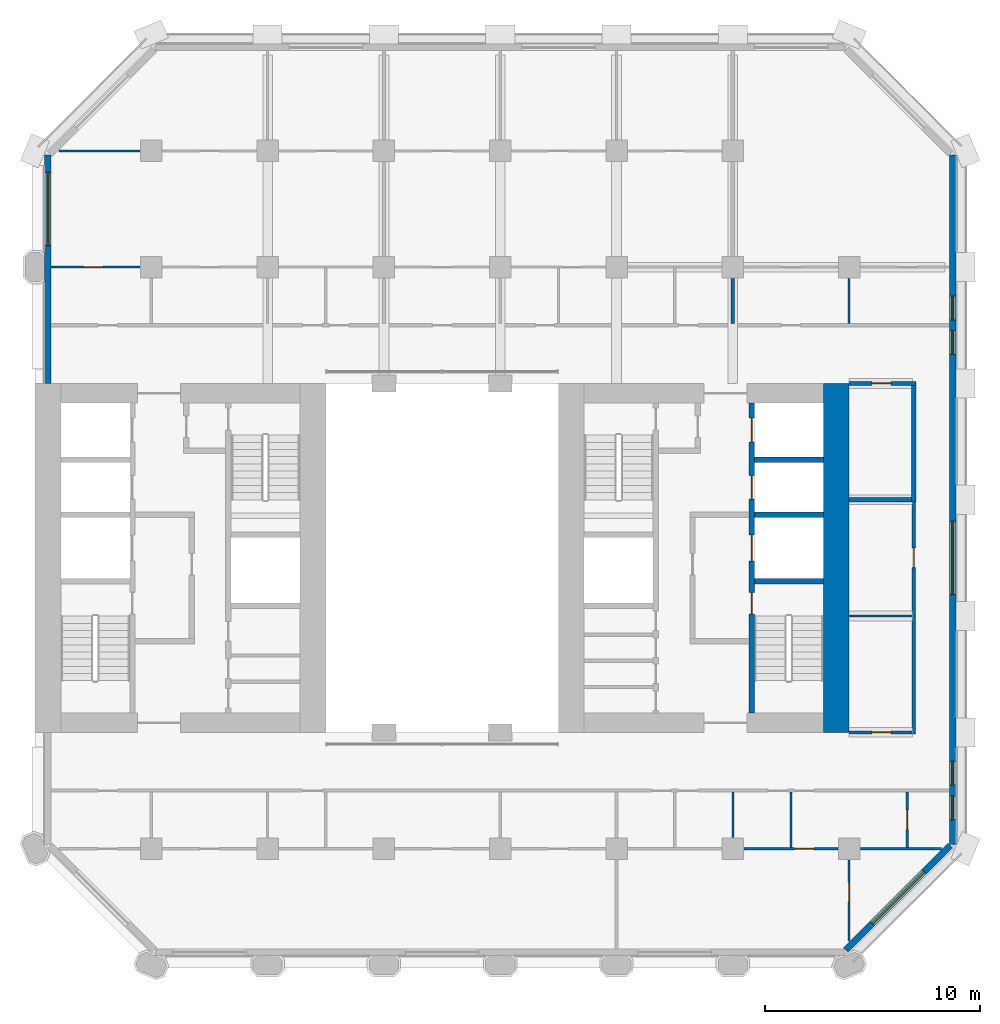
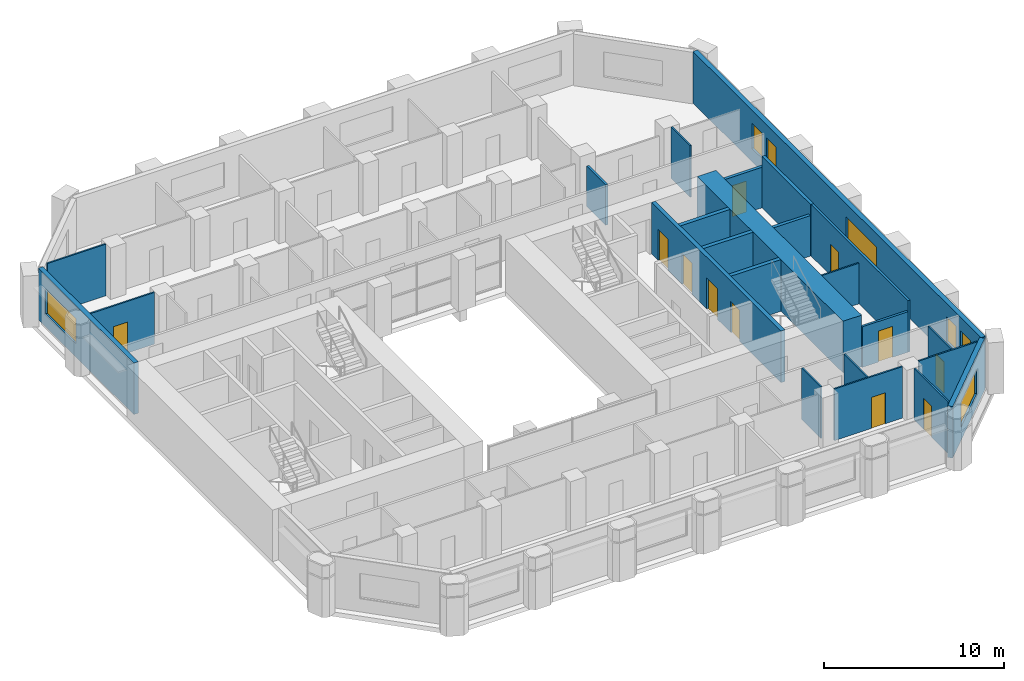
# One storey, part 6 of 11: 24 walls, 11 doors, 7 windows, 18 openings.
"""IFC4 building model written with IfcOpenShell, lengths in metres."""

from ifc_helpers import new_model, si_unit, direction, frame, frame_2d, origin, place, context, subcontext, project, spatial, rectangle, extrude, material, layer, layer_set, type_object, element, fill, save


model = new_model("IFC4")

# Units and contexts
model_context = context("Model", 3, precision=1e-05, world=origin(), true_north=direction((0.0, 1.0)))
body_context = subcontext(model_context, "Body", "Model", "MODEL_VIEW")
ifc_project = project(units=[si_unit("LENGTHUNIT", "METRE"), si_unit("AREAUNIT", "SQUARE_METRE"), si_unit("VOLUMEUNIT", "CUBIC_METRE"), si_unit("PLANEANGLEUNIT", "RADIAN"), si_unit("MASSUNIT", "GRAM", prefix="KILO")], contexts=[model_context])

# Site, building, storey
site_placement = place(None, origin())
site = spatial("IfcSite", under=ifc_project, at=site_placement, CompositionType="ELEMENT")
building_placement = place(site_placement, origin())
building = spatial("IfcBuilding", under=site, at=building_placement, Name="Tabaq Tower and Sports Hall", CompositionType="ELEMENT")
storey_placement = place(building_placement, frame((0.0, 0.0, 80.199951171875)))
storey = spatial("IfcBuildingStorey", under=building, at=storey_placement, Name="L18", CompositionType="ELEMENT", Elevation=80.199951171875)

# Wall
ifc_material_1 = material(Name="Concrete C60/75", Category="concrete")
ifc_layer_1 = layer(ifc_material_1, 1.199951171875)
ifc_layer_set_1 = layer_set([ifc_layer_1], Name="Core wall 1200 Concrete C60/75")
wall_type_1 = type_object("IfcWallType", Name="Core wall 1200 Concrete C60/75", PredefinedType="SOLIDWALL", material=ifc_layer_set_1)
wall_1_placement = place(storey_placement, frame((42.60009765625, 32.39990234375, 0.0), z_axis=(0.0, 0.0, 1.0), x_axis=(0.0, -1.0, 0.0)))
element("IfcWall", 1, at=wall_1_placement, inside=storey, type_object=wall_type_1, Name="Core wall E L18", PredefinedType="SOLIDWALL", context=body_context, shape_type="SweptSolid", body=[
    extrude(rectangle(XDim=16.199951171875, YDim=1.199951171875, at=frame_2d((8.10009765625, 0.0))), origin(), (0.0, 0.0, 1.0), 3.5),
])

# Wall, opening, door
ifc_material_2 = material(Name="Blockwork", Category="masonry")
ifc_layer_2 = layer(ifc_material_2, 0.199951171875)
ifc_layer_set_2 = layer_set([ifc_layer_2], Name="Fire compartment wall 200 Blockwork")
wall_type_2 = type_object("IfcWallType", Name="Fire compartment wall 200 Blockwork", PredefinedType="PARTITIONING", material=ifc_layer_set_2)
wall_2_placement = place(storey_placement, frame((43.199951171875, 32.39990234375, 0.0), z_axis=(0.0, 0.0, 1.0), x_axis=(1.0, 0.0, 0.0)))
wall_2 = element("IfcWall", 2, at=wall_2_placement, inside=storey, type_object=wall_type_2, Name="Compartment wall L18", PredefinedType="PARTITIONING", context=body_context, shape_type="SweptSolid", body=[
    extrude(rectangle(XDim=3.10009765625, YDim=0.199951171875, at=frame_2d((1.550048828125, 0.0))), origin(), (0.0, 0.0, 1.0), 2.75),
])
opening_1_placement = place(wall_2_placement, frame((1.050048828125, 0.0, 0.0)))
opening_1 = element("IfcOpeningElement", 3, at=opening_1_placement, cuts=wall_2, Name="Opening L18-011", PredefinedType="OPENING", context=body_context, shape_type="SweptSolid", body=[
    extrude(rectangle(XDim=0.89990234375, YDim=2.10009765625, at=frame_2d((0.449951171875, 1.050048828125))), frame((0.0, 0.10009765625, 0.0), z_axis=(0.0, -1.0, 0.0), x_axis=(1.0, 0.0, 0.0)), (0.0, 0.0, 1.0), 0.199951171875),
])
ifc_material_3 = material(Name="Steel fire door", Category="steel")
door_type_1 = type_object("IfcDoorType", Name="Plant room door 900 right hand", OperationType="SINGLE_SWING_RIGHT", PredefinedType="DOOR", material=ifc_material_3)
door_1_placement = place(opening_1_placement, origin())
door_1 = element("IfcDoor", 4, at=door_1_placement, inside=storey, type_object=door_type_1, Name="Plant room door L18-011", OperationType="SINGLE_SWING_RIGHT", OverallHeight=2.10009765625, OverallWidth=0.89990234375, PredefinedType="DOOR", context=body_context, shape_type="SweptSolid", body=[
    extrude(rectangle(XDim=0.89990234375, YDim=2.10009765625, at=frame_2d((0.449951171875, 1.050048828125))), frame((0.0, 0.02490234375, 0.0), z_axis=(0.0, -1.0, 0.0), x_axis=(1.0, 0.0, 0.0)), (0.0, 0.0, 1.0), 0.050048828125),
])
fill(opening_1, door_1)

# Walls
wall_3_placement = place(storey_placement, frame((46.199951171875, 32.300048828125, 0.0), z_axis=(0.0, 0.0, 1.0), x_axis=(0.0, -1.0, 0.0)))
element("IfcWall", 5, at=wall_3_placement, inside=storey, type_object=wall_type_2, Name="Compartment wall L18", PredefinedType="PARTITIONING", context=body_context, shape_type="SweptSolid", body=[
    extrude(rectangle(XDim=5.400146484375, YDim=0.199951171875, at=frame_2d((2.7001953125, 0.0))), origin(), (0.0, 0.0, 1.0), 3.5),
])
wall_4_placement = place(storey_placement, frame((46.10009765625, 27.0, 0.0), z_axis=(0.0, 0.0, 1.0), x_axis=(-1.0, 0.0, 0.0)))
element("IfcWall", 6, at=wall_4_placement, inside=storey, type_object=wall_type_2, Name="Compartment wall L18", PredefinedType="PARTITIONING", context=body_context, shape_type="SweptSolid", body=[
    extrude(rectangle(XDim=2.900146484375, YDim=0.199951171875, at=frame_2d((1.4501953125, 0.0))), origin(), (0.0, 0.0, 1.0), 2.75),
])

# Wall, opening, door
ifc_material_4 = material(Name="Gypsum board on steel studs", Category="steel")
ifc_layer_3 = layer(ifc_material_4, 0.10009765625)
ifc_layer_set_3 = layer_set([ifc_layer_3], Name="Partition 100 Gypsum board")
wall_type_3 = type_object("IfcWallType", Name="Partition 100 Gypsum board", PredefinedType="PARTITIONING", material=ifc_layer_set_3)
wall_5_placement = place(storey_placement, frame((10.280029296875, 37.800048828125, 0.0), z_axis=(0.0, 0.0, 1.0), x_axis=(-1.0, 0.0, 0.0)))
wall_5 = element("IfcWall", 7, at=wall_5_placement, inside=storey, type_object=wall_type_3, Name="Partition wall L18", PredefinedType="PARTITIONING", context=body_context, shape_type="SweptSolid", body=[
    extrude(rectangle(XDim=4.129150390625, YDim=0.10009765625, at=frame_2d((2.064453125, 0.0))), origin(), (0.0, 0.0, 1.0), 3.5),
])
opening_2_placement = place(wall_5_placement, frame((1.72998046875, 0.0, 0.0)))
opening_2 = element("IfcOpeningElement", 8, at=opening_2_placement, cuts=wall_5, Name="Opening L18-029", PredefinedType="OPENING", context=body_context, shape_type="SweptSolid", body=[
    extrude(rectangle(XDim=0.89990234375, YDim=2.10009765625, at=frame_2d((0.449951171875, 1.050048828125))), frame((0.0, 0.050048828125, 0.0), z_axis=(0.0, -1.0, 0.0), x_axis=(1.0, 0.0, 0.0)), (0.0, 0.0, 1.0), 0.10009765625),
])
ifc_material_5 = material(Name="Timber leaf in steel frame", Category="steel")
door_type_2 = type_object("IfcDoorType", Name="Internal door 900 right hand", OperationType="SINGLE_SWING_RIGHT", PredefinedType="DOOR", material=ifc_material_5)
door_2_placement = place(opening_2_placement, origin())
door_2 = element("IfcDoor", 9, at=door_2_placement, inside=storey, type_object=door_type_2, Name="Internal door L18-029", OperationType="SINGLE_SWING_RIGHT", OverallHeight=2.10009765625, OverallWidth=0.89990234375, PredefinedType="DOOR", context=body_context, shape_type="SweptSolid", body=[
    extrude(rectangle(XDim=0.89990234375, YDim=2.10009765625, at=frame_2d((0.449951171875, 1.050048828125))), frame((0.0, 0.02490234375, 0.0), z_axis=(0.0, -1.0, 0.0), x_axis=(1.0, 0.0, 0.0)), (0.0, 0.0, 1.0), 0.050048828125),
])
fill(opening_2, door_2)

# Walls
wall_6_placement = place(storey_placement, frame((10.280029296875, 43.199951171875, 0.0), z_axis=(0.0, 0.0, 1.0), x_axis=(-1.0, 0.0, 0.0)))
element("IfcWall", 10, at=wall_6_placement, inside=storey, type_object=wall_type_3, Name="Partition wall L18", PredefinedType="PARTITIONING", context=body_context, shape_type="SweptSolid", body=[
    extrude(rectangle(XDim=3.767822265625, YDim=0.10009765625, at=frame_2d((1.8837890625, 0.0))), origin(), (0.0, 0.0, 1.0), 3.5),
])
for number, where, z_axis, x_axis, name in (
    (11, (43.199951171875, 35.175048828125, 0.0), (0.0, 0.0, 1.0), (0.0, 1.0, 0.0), "Partition wall L18"),
    (12, (37.800048828125, 11.320068359375, 0.0), (0.0, 0.0, 1.0), (0.0, 1.0, 0.0), "Partition wall L18"),
):
    element("IfcWall", number, at=place(storey_placement, frame(where, z_axis=z_axis, x_axis=x_axis)), inside=storey, type_object=wall_type_3, Name=name, PredefinedType="PARTITIONING", context=body_context, shape_type="SweptSolid", body=[
        extrude(rectangle(XDim=2.10498046875, YDim=0.10009765625, at=frame_2d((1.052490234375, 0.0))), origin(), (0.0, 0.0, 1.0), 3.5),
    ])
wall_7_placement = place(storey_placement, frame((40.5, 10.85009765625, 0.0), z_axis=(0.0, 0.0, 1.0), x_axis=(0.0, 1.0, 0.0)))
element("IfcWall", 13, at=wall_7_placement, inside=storey, type_object=wall_type_3, Name="Partition wall L18", PredefinedType="PARTITIONING", context=body_context, shape_type="SweptSolid", body=[
    extrude(rectangle(XDim=2.574951171875, YDim=0.10009765625, at=frame_2d((1.28759765625, 0.0))), origin(), (0.0, 0.0, 1.0), 3.5),
])

# Wall, opening, door
wall_8_placement = place(storey_placement, frame((38.320068359375, 10.800048828125, 0.0), z_axis=(0.0, 0.0, 1.0), x_axis=(1.0, 0.0, 0.0)))
wall_8 = element("IfcWall", 14, at=wall_8_placement, inside=storey, type_object=wall_type_3, Name="Partition wall L18", PredefinedType="PARTITIONING", context=body_context, shape_type="SweptSolid", body=[
    extrude(rectangle(XDim=4.35986328125, YDim=0.10009765625, at=frame_2d((2.179931640625, 0.0))), origin(), (0.0, 0.0, 1.0), 3.5),
])
opening_3_placement = place(wall_8_placement, frame((2.35009765625, 0.0, 0.0)))
opening_3 = element("IfcOpeningElement", 15, at=opening_3_placement, cuts=wall_8, Name="Opening L18-033", PredefinedType="OPENING", context=body_context, shape_type="SweptSolid", body=[
    extrude(rectangle(XDim=0.89990234375, YDim=2.10009765625, at=frame_2d((0.449951171875, 1.050048828125))), frame((0.0, 0.050048828125, 0.0), z_axis=(0.0, -1.0, 0.0), x_axis=(1.0, 0.0, 0.0)), (0.0, 0.0, 1.0), 0.10009765625),
])
ifc_material_6 = material(Name="Timber leaf in steel frame", Category="steel")
door_type_3 = type_object("IfcDoorType", Name="Internal door 900 left hand", OperationType="SINGLE_SWING_LEFT", PredefinedType="DOOR", material=ifc_material_6)
door_3_placement = place(opening_3_placement, origin())
door_3 = element("IfcDoor", 16, at=door_3_placement, inside=storey, type_object=door_type_3, Name="Internal door L18-033", OperationType="SINGLE_SWING_LEFT", OverallHeight=2.10009765625, OverallWidth=0.89990234375, PredefinedType="DOOR", context=body_context, shape_type="SweptSolid", body=[
    extrude(rectangle(XDim=0.89990234375, YDim=2.10009765625, at=frame_2d((0.449951171875, 1.050048828125))), frame((0.0, 0.02490234375, 0.0), z_axis=(0.0, -1.0, 0.0), x_axis=(1.0, 0.0, 0.0)), (0.0, 0.0, 1.0), 0.050048828125),
])
fill(opening_3, door_3)

wall_9_placement = place(storey_placement, frame((45.89990234375, 10.85009765625, 0.0), z_axis=(0.0, 0.0, 1.0), x_axis=(0.0, 1.0, 0.0)))
wall_9 = element("IfcWall", 17, at=wall_9_placement, inside=storey, type_object=wall_type_3, Name="Partition wall L18", PredefinedType="PARTITIONING", context=body_context, shape_type="SweptSolid", body=[
    extrude(rectangle(XDim=2.574951171875, YDim=0.10009765625, at=frame_2d((1.28759765625, 0.0))), origin(), (0.0, 0.0, 1.0), 3.5),
])
opening_4_placement = place(wall_9_placement, frame((0.85009765625, 0.0, 0.0)))
opening_4 = element("IfcOpeningElement", 18, at=opening_4_placement, cuts=wall_9, Name="Opening L18-023", PredefinedType="OPENING", context=body_context, shape_type="SweptSolid", body=[
    extrude(rectangle(XDim=0.89990234375, YDim=2.10009765625, at=frame_2d((0.449951171875, 1.050048828125))), frame((0.0, 0.050048828125, 0.0), z_axis=(0.0, -1.0, 0.0), x_axis=(1.0, 0.0, 0.0)), (0.0, 0.0, 1.0), 0.10009765625),
])
door_4_placement = place(opening_4_placement, origin())
door_4 = element("IfcDoor", 19, at=door_4_placement, inside=storey, type_object=door_type_3, Name="Internal door L18-023", OperationType="SINGLE_SWING_LEFT", OverallHeight=2.10009765625, OverallWidth=0.89990234375, PredefinedType="DOOR", context=body_context, shape_type="SweptSolid", body=[
    extrude(rectangle(XDim=0.89990234375, YDim=2.10009765625, at=frame_2d((0.449951171875, 1.050048828125))), frame((0.0, 0.02490234375, 0.0), z_axis=(0.0, -1.0, 0.0), x_axis=(1.0, 0.0, 0.0)), (0.0, 0.0, 1.0), 0.050048828125),
])
fill(opening_4, door_4)

# Wall
wall_10_placement = place(storey_placement, frame((43.719970703125, 10.800048828125, 0.0), z_axis=(0.0, 0.0, 1.0), x_axis=(1.0, 0.0, 0.0)))
element("IfcWall", 20, at=wall_10_placement, inside=storey, type_object=wall_type_3, Name="Partition wall L18", PredefinedType="PARTITIONING", context=body_context, shape_type="SweptSolid", body=[
    extrude(rectangle(XDim=3.767822265625, YDim=0.10009765625, at=frame_2d((1.8837890625, 0.0))), origin(), (0.0, 0.0, 1.0), 3.5),
])

# Wall, opening, door
wall_11_placement = place(storey_placement, frame((43.199951171875, 6.51220703125, 0.0), z_axis=(0.0, 0.0, 1.0), x_axis=(0.0, 1.0, 0.0)))
wall_11 = element("IfcWall", 21, at=wall_11_placement, inside=storey, type_object=wall_type_3, Name="Partition wall L18", PredefinedType="PARTITIONING", context=body_context, shape_type="SweptSolid", body=[
    extrude(rectangle(XDim=3.767822265625, YDim=0.10009765625, at=frame_2d((1.8837890625, 0.0))), origin(), (0.0, 0.0, 1.0), 3.5),
])
opening_5_placement = place(wall_11_placement, frame((1.81298828125, 0.0, 0.0)))
opening_5 = element("IfcOpeningElement", 22, at=opening_5_placement, cuts=wall_11, Name="Opening L18-024", PredefinedType="OPENING", context=body_context, shape_type="SweptSolid", body=[
    extrude(rectangle(XDim=0.89990234375, YDim=2.10009765625, at=frame_2d((0.449951171875, 1.050048828125))), frame((0.0, 0.050048828125, 0.0), z_axis=(0.0, -1.0, 0.0), x_axis=(1.0, 0.0, 0.0)), (0.0, 0.0, 1.0), 0.10009765625),
])
door_5_placement = place(opening_5_placement, origin())
door_5 = element("IfcDoor", 23, at=door_5_placement, inside=storey, type_object=door_type_3, Name="Internal door L18-024", OperationType="SINGLE_SWING_LEFT", OverallHeight=2.10009765625, OverallWidth=0.89990234375, PredefinedType="DOOR", context=body_context, shape_type="SweptSolid", body=[
    extrude(rectangle(XDim=0.89990234375, YDim=2.10009765625, at=frame_2d((0.449951171875, 1.050048828125))), frame((0.0, 0.02490234375, 0.0), z_axis=(0.0, -1.0, 0.0), x_axis=(1.0, 0.0, 0.0)), (0.0, 0.0, 1.0), 0.050048828125),
])
fill(opening_5, door_5)

# Wall
wall_12_placement = place(storey_placement, frame((46.125, 21.60009765625, 0.0), z_axis=(0.0, 0.0, 1.0), x_axis=(-1.0, 0.0, 0.0)))
element("IfcWall", 24, at=wall_12_placement, inside=storey, type_object=wall_type_3, Name="Partition wall L18", PredefinedType="PARTITIONING", context=body_context, shape_type="SweptSolid", body=[
    extrude(rectangle(XDim=2.925048828125, YDim=0.10009765625, at=frame_2d((1.46240234375, 0.0))), origin(), (0.0, 0.0, 1.0), 2.75),
])

# Wall, opening, door
ifc_material_7 = material(Name="Blockwork", Category="masonry")
ifc_layer_4 = layer(ifc_material_7, 0.14990234375)
ifc_layer_set_4 = layer_set([ifc_layer_4], Name="Separating wall 150 Blockwork")
wall_type_4 = type_object("IfcWallType", Name="Separating wall 150 Blockwork", PredefinedType="PARTITIONING", material=ifc_layer_set_4)
wall_13_placement = place(storey_placement, frame((46.199951171875, 26.89990234375, 0.0), z_axis=(0.0, 0.0, 1.0), x_axis=(0.0, -1.0, 0.0)))
wall_13 = element("IfcWall", 25, at=wall_13_placement, inside=storey, type_object=wall_type_4, Name="Separating wall L18", PredefinedType="PARTITIONING", context=body_context, shape_type="SweptSolid", body=[
    extrude(rectangle(XDim=10.77490234375, YDim=0.14990234375, at=frame_2d((5.387451171875, 0.0))), origin(), (0.0, 0.0, 1.0), 3.5),
])
opening_6_placement = place(wall_13_placement, frame((2.14990234375, 0.0, 0.0)))
opening_6 = element("IfcOpeningElement", 26, at=opening_6_placement, cuts=wall_13, Name="Opening L18-010", PredefinedType="OPENING", context=body_context, shape_type="SweptSolid", body=[
    extrude(rectangle(XDim=0.89990234375, YDim=2.10009765625, at=frame_2d((0.449951171875, 1.050048828125))), frame((0.0, 0.074951171875, 0.0), z_axis=(0.0, -1.0, 0.0), x_axis=(1.0, 0.0, 0.0)), (0.0, 0.0, 1.0), 0.14990234375),
])
door_6_placement = place(opening_6_placement, origin())
door_6 = element("IfcDoor", 27, at=door_6_placement, inside=storey, type_object=door_type_2, Name="Internal door L18-010", OperationType="SINGLE_SWING_RIGHT", OverallHeight=2.10009765625, OverallWidth=0.89990234375, PredefinedType="DOOR", context=body_context, shape_type="SweptSolid", body=[
    extrude(rectangle(XDim=0.89990234375, YDim=2.10009765625, at=frame_2d((0.449951171875, 1.050048828125))), frame((0.0, 0.02490234375, 0.0), z_axis=(0.0, -1.0, 0.0), x_axis=(1.0, 0.0, 0.0)), (0.0, 0.0, 1.0), 0.050048828125),
])
fill(opening_6, door_6)

wall_14_placement = place(storey_placement, frame((46.125, 16.199951171875, 0.0), z_axis=(0.0, 0.0, 1.0), x_axis=(-1.0, 0.0, 0.0)))
wall_14 = element("IfcWall", 28, at=wall_14_placement, inside=storey, type_object=wall_type_4, Name="Separating wall L18", PredefinedType="PARTITIONING", context=body_context, shape_type="SweptSolid", body=[
    extrude(rectangle(XDim=2.925048828125, YDim=0.14990234375, at=frame_2d((1.46240234375, 0.0))), origin(), (0.0, 0.0, 1.0), 2.75),
])
opening_7_placement = place(wall_14_placement, frame((0.97509765625, 0.0, 0.0)))
opening_7 = element("IfcOpeningElement", 29, at=opening_7_placement, cuts=wall_14, Name="Opening L18-009", PredefinedType="OPENING", context=body_context, shape_type="SweptSolid", body=[
    extrude(rectangle(XDim=0.89990234375, YDim=2.10009765625, at=frame_2d((0.449951171875, 1.050048828125))), frame((0.0, 0.074951171875, 0.0), z_axis=(0.0, -1.0, 0.0), x_axis=(1.0, 0.0, 0.0)), (0.0, 0.0, 1.0), 0.14990234375),
])
door_7_placement = place(opening_7_placement, origin())
door_7 = element("IfcDoor", 30, at=door_7_placement, inside=storey, type_object=door_type_2, Name="Internal door L18-009", OperationType="SINGLE_SWING_RIGHT", OverallHeight=2.10009765625, OverallWidth=0.89990234375, PredefinedType="DOOR", context=body_context, shape_type="SweptSolid", body=[
    extrude(rectangle(XDim=0.89990234375, YDim=2.10009765625, at=frame_2d((0.449951171875, 1.050048828125))), frame((0.0, 0.02490234375, 0.0), z_axis=(0.0, -1.0, 0.0), x_axis=(1.0, 0.0, 0.0)), (0.0, 0.0, 1.0), 0.050048828125),
])
fill(opening_7, door_7)

# Wall
wall_15_placement = place(storey_placement, frame((37.800048828125, 35.175048828125, 0.0), z_axis=(0.0, 0.0, 1.0), x_axis=(0.0, 1.0, 0.0)))
element("IfcWall", 31, at=wall_15_placement, inside=storey, type_object=wall_type_4, Name="Separating wall L18", PredefinedType="PARTITIONING", context=body_context, shape_type="SweptSolid", body=[
    extrude(rectangle(XDim=2.10498046875, YDim=0.14990234375, at=frame_2d((1.052490234375, 0.0))), origin(), (0.0, 0.0, 1.0), 2.75),
])

# Wall, openings, doors
ifc_material_8 = material(Name="Concrete C40/50", Category="concrete")
ifc_layer_5 = layer(ifc_material_8, 0.25)
ifc_layer_set_5 = layer_set([ifc_layer_5], Name="Shaft and stair wall 250 Concrete C40/50")
wall_type_5 = type_object("IfcWallType", Name="Shaft and stair wall 250 Concrete C40/50", PredefinedType="SOLIDWALL", material=ifc_layer_set_5)
wall_16_placement = place(storey_placement, frame((38.675048828125, 17.10009765625, 0.0), z_axis=(0.0, 0.0, 1.0), x_axis=(0.0, 1.0, 0.0)))
wall_16 = element("IfcWall", 32, at=wall_16_placement, inside=storey, type_object=wall_type_5, Name="Shaft wall E L18", PredefinedType="SOLIDWALL", context=body_context, shape_type="SweptSolid", body=[
    extrude(rectangle(XDim=14.39990234375, YDim=0.25, at=frame_2d((7.199951171875, 0.0))), origin(), (0.0, 0.0, 1.0), 3.5),
])
opening_8_placement = place(wall_16_placement, frame((4.60009765625, 0.0, 0.0)))
opening_8 = element("IfcOpeningElement", 33, at=opening_8_placement, cuts=wall_16, Name="Opening SD-EL18-03", PredefinedType="OPENING", context=body_context, shape_type="SweptSolid", body=[
    extrude(rectangle(XDim=1.0, YDim=2.10009765625, at=frame_2d((0.5, 1.050048828125))), frame((0.0, 0.125, 0.0), z_axis=(0.0, -1.0, 0.0), x_axis=(1.0, 0.0, 0.0)), (0.0, 0.0, 1.0), 0.25),
])
opening_9_placement = place(wall_16_placement, frame((7.0625, 0.0, 0.0)))
opening_9 = element("IfcOpeningElement", 34, at=opening_9_placement, cuts=wall_16, Name="Opening LD-FF2-L18", PredefinedType="OPENING", context=body_context, shape_type="SweptSolid", body=[
    extrude(rectangle(XDim=1.199951171875, YDim=2.10009765625, at=frame_2d((0.60009765625, 1.050048828125))), frame((0.0, 0.125, 0.0), z_axis=(0.0, -1.0, 0.0), x_axis=(1.0, 0.0, 0.0)), (0.0, 0.0, 1.0), 0.25),
])
opening_10_placement = place(wall_16_placement, frame((9.925048828125, 0.0, 0.0)))
opening_10 = element("IfcOpeningElement", 35, at=opening_10_placement, cuts=wall_16, Name="Opening LD-LR3-L18", PredefinedType="OPENING", context=body_context, shape_type="SweptSolid", body=[
    extrude(rectangle(XDim=1.10009765625, YDim=2.10009765625, at=frame_2d((0.550048828125, 1.050048828125))), frame((0.0, 0.125, 0.0), z_axis=(0.0, -1.0, 0.0), x_axis=(1.0, 0.0, 0.0)), (0.0, 0.0, 1.0), 0.25),
])
opening_11_placement = place(wall_16_placement, frame((12.58740234375, 0.0, 0.0)))
opening_11 = element("IfcOpeningElement", 36, at=opening_11_placement, cuts=wall_16, Name="Opening LD-LR4-L18", PredefinedType="OPENING", context=body_context, shape_type="SweptSolid", body=[
    extrude(rectangle(XDim=1.10009765625, YDim=2.10009765625, at=frame_2d((0.550048828125, 1.050048828125))), frame((0.0, 0.125, 0.0), z_axis=(0.0, -1.0, 0.0), x_axis=(1.0, 0.0, 0.0)), (0.0, 0.0, 1.0), 0.25),
])
ifc_material_9 = material(Name="Stainless steel", Category="steel")
door_type_4 = type_object("IfcDoorType", Name="Lift landing door 1100", OperationType="DOUBLE_DOOR_SLIDING", PredefinedType="DOOR", material=ifc_material_9)
door_8_placement = place(opening_10_placement, origin())
door_8 = element("IfcDoor", 37, at=door_8_placement, inside=storey, type_object=door_type_4, Name="Lift landing door LR3 E L18", OperationType="DOUBLE_DOOR_SLIDING", OverallHeight=2.10009765625, OverallWidth=1.10009765625, PredefinedType="DOOR", context=body_context, shape_type="SweptSolid", body=[
    extrude(rectangle(XDim=1.10009765625, YDim=2.10009765625, at=frame_2d((0.550048828125, 1.050048828125))), frame((0.0, 0.02490234375, 0.0), z_axis=(0.0, -1.0, 0.0), x_axis=(1.0, 0.0, 0.0)), (0.0, 0.0, 1.0), 0.050048828125),
])
fill(opening_10, door_8)
door_9_placement = place(opening_11_placement, origin())
door_9 = element("IfcDoor", 38, at=door_9_placement, inside=storey, type_object=door_type_4, Name="Lift landing door LR4 E L18", OperationType="DOUBLE_DOOR_SLIDING", OverallHeight=2.10009765625, OverallWidth=1.10009765625, PredefinedType="DOOR", context=body_context, shape_type="SweptSolid", body=[
    extrude(rectangle(XDim=1.10009765625, YDim=2.10009765625, at=frame_2d((0.550048828125, 1.050048828125))), frame((0.0, 0.02490234375, 0.0), z_axis=(0.0, -1.0, 0.0), x_axis=(1.0, 0.0, 0.0)), (0.0, 0.0, 1.0), 0.050048828125),
])
fill(opening_11, door_9)
ifc_material_10 = material(Name="Stainless steel", Category="steel")
door_type_5 = type_object("IfcDoorType", Name="Lift landing door 1200", OperationType="DOUBLE_DOOR_SLIDING", PredefinedType="DOOR", material=ifc_material_10)
door_10_placement = place(opening_9_placement, origin())
door_10 = element("IfcDoor", 39, at=door_10_placement, inside=storey, type_object=door_type_5, Name="Lift landing door FF2 E L18", OperationType="DOUBLE_DOOR_SLIDING", OverallHeight=2.10009765625, OverallWidth=1.199951171875, PredefinedType="DOOR", context=body_context, shape_type="SweptSolid", body=[
    extrude(rectangle(XDim=1.199951171875, YDim=2.10009765625, at=frame_2d((0.60009765625, 1.050048828125))), frame((0.0, 0.02490234375, 0.0), z_axis=(0.0, -1.0, 0.0), x_axis=(1.0, 0.0, 0.0)), (0.0, 0.0, 1.0), 0.050048828125),
])
fill(opening_9, door_10)
ifc_material_11 = material(Name="Steel fire door", Category="steel")
door_type_6 = type_object("IfcDoorType", Name="Stair door 1000", OperationType="SINGLE_SWING_LEFT", PredefinedType="DOOR", material=ifc_material_11)
door_11_placement = place(opening_8_placement, origin())
door_11 = element("IfcDoor", 40, at=door_11_placement, inside=storey, type_object=door_type_6, Name="Stair door ST3 E L18", OperationType="SINGLE_SWING_LEFT", OverallHeight=2.10009765625, OverallWidth=1.0, PredefinedType="DOOR", context=body_context, shape_type="SweptSolid", body=[
    extrude(rectangle(XDim=1.0, YDim=2.10009765625, at=frame_2d((0.5, 1.050048828125))), frame((0.0, 0.02490234375, 0.0), z_axis=(0.0, -1.0, 0.0), x_axis=(1.0, 0.0, 0.0)), (0.0, 0.0, 1.0), 0.050048828125),
])
fill(opening_8, door_11)

# Walls
for number, where, z_axis, x_axis, name in (
    (41, (38.800048828125, 23.22509765625, 0.0), (0.0, 0.0, 1.0), (1.0, 0.0, 0.0), "Stair enclosure wall E L18"),
    (42, (38.800048828125, 26.300048828125, 0.0), (0.0, 0.0, 1.0), (1.0, 0.0, 0.0), "Shaft wall E L18"),
    (43, (38.800048828125, 28.85009765625, 0.0), (0.0, 0.0, 1.0), (1.0, 0.0, 0.0), "Shaft wall E L18"),
):
    element("IfcWall", number, at=place(storey_placement, frame(where, z_axis=z_axis, x_axis=x_axis)), inside=storey, type_object=wall_type_5, Name=name, PredefinedType="SOLIDWALL", context=body_context, shape_type="SweptSolid", body=[
        extrude(rectangle(XDim=3.199951171875, YDim=0.25, at=frame_2d((1.60009765625, 0.0))), origin(), (0.0, 0.0, 1.0), 3.5),
    ])

# Wall, opening, window
ifc_material_12 = material(Name="White precast concrete C60/75", Category="concrete")
ifc_layer_6 = layer(ifc_material_12, 0.300048828125)
ifc_layer_set_6 = layer_set([ifc_layer_6], Name="White precast concrete C60/75 external wall 300")
wall_type_6 = type_object("IfcWallType", Name="White precast concrete C60/75 external wall 300", PredefinedType="SOLIDWALL", material=ifc_layer_set_6)
wall_17_placement = place(storey_placement, frame((43.050537109375, 6.098876953125, 0.0), z_axis=(0.0, 0.0, 1.0), x_axis=(0.707106781187, 0.707106781187, 0.0)))
wall_17 = element("IfcWall", 44, at=wall_17_placement, inside=storey, type_object=wall_type_6, Name="External Wall L18 SE", PredefinedType="SOLIDWALL", context=body_context, shape_type="SweptSolid", body=[
    extrude(rectangle(XDim=6.85986328125, YDim=0.300048828125, at=frame_2d((3.429931640625, 0.0))), origin(), (0.0, 0.0, 1.0), 3.5),
])
opening_12_placement = place(wall_17_placement, frame((1.729736328125, 0.0, 0.89990234375)))
opening_12 = element("IfcOpeningElement", 45, at=opening_12_placement, cuts=wall_17, Name="Opening W1A", PredefinedType="OPENING", context=body_context, shape_type="SweptSolid", body=[
    extrude(rectangle(XDim=3.39990234375, YDim=1.699951171875, at=frame_2d((1.699951171875, 0.85009765625))), frame((0.0, 0.16015625, 0.0), z_axis=(0.0, -1.0, 0.0), x_axis=(1.0, 0.0, 0.0)), (0.0, 0.0, 1.0), 0.320068359375),
])
ifc_material_13 = material(Name="Aluminium framed clear glazing", Category="aluminium")
window_type_1 = type_object("IfcWindowType", Name="Window W1A", PartitioningType="SINGLE_PANEL", PredefinedType="WINDOW", material=ifc_material_13)
window_1_placement = place(opening_12_placement, origin())
window_1 = element("IfcWindow", 46, at=window_1_placement, inside=storey, type_object=window_type_1, Name="Window W1A L18", OverallHeight=1.699951171875, OverallWidth=3.39990234375, PartitioningType="SINGLE_PANEL", PredefinedType="WINDOW", context=body_context, shape_type="SweptSolid", body=[
    extrude(rectangle(XDim=3.39990234375, YDim=1.699951171875, at=frame_2d((1.699951171875, 0.85009765625))), frame((0.0, 0.030029296875, 0.0), z_axis=(0.0, -1.0, 0.0), x_axis=(1.0, 0.0, 0.0)), (0.0, 0.0, 1.0), 0.06005859375),
])
fill(opening_12, window_1)

# Wall, openings, windows
wall_18_placement = place(storey_placement, frame((48.0, 10.986328125, 0.0), z_axis=(0.0, 0.0, 1.0), x_axis=(0.0, 1.0, 0.0)))
wall_18 = element("IfcWall", 47, at=wall_18_placement, inside=storey, type_object=wall_type_6, Name="External Wall L18 E", PredefinedType="SOLIDWALL", context=body_context, shape_type="SweptSolid", body=[
    extrude(rectangle(XDim=32.02734375, YDim=0.300048828125, at=frame_2d((16.013671875, 0.0))), origin(), (0.0, 0.0, 1.0), 3.5),
])
opening_13_placement = place(wall_18_placement, frame((1.16357421875, 0.0, 0.89990234375)))
opening_13 = element("IfcOpeningElement", 48, at=opening_13_placement, cuts=wall_18, Name="Opening W1B", PredefinedType="OPENING", context=body_context, shape_type="SweptSolid", body=[
    extrude(rectangle(XDim=1.10009765625, YDim=1.699951171875, at=frame_2d((0.550048828125, 0.85009765625))), frame((0.0, 0.16015625, 0.0), z_axis=(0.0, -1.0, 0.0), x_axis=(1.0, 0.0, 0.0)), (0.0, 0.0, 1.0), 0.320068359375),
])
opening_14_placement = place(wall_18_placement, frame((2.763671875, 0.0, 0.89990234375)))
opening_14 = element("IfcOpeningElement", 49, at=opening_14_placement, cuts=wall_18, Name="Opening W1B", PredefinedType="OPENING", context=body_context, shape_type="SweptSolid", body=[
    extrude(rectangle(XDim=1.10009765625, YDim=1.699951171875, at=frame_2d((0.550048828125, 0.85009765625))), frame((0.0, 0.16015625, 0.0), z_axis=(0.0, -1.0, 0.0), x_axis=(1.0, 0.0, 0.0)), (0.0, 0.0, 1.0), 0.320068359375),
])
opening_15_placement = place(wall_18_placement, frame((11.613525390625, 0.0, 0.89990234375)))
opening_15 = element("IfcOpeningElement", 50, at=opening_15_placement, cuts=wall_18, Name="Opening W1A", PredefinedType="OPENING", context=body_context, shape_type="SweptSolid", body=[
    extrude(rectangle(XDim=3.39990234375, YDim=1.699951171875, at=frame_2d((1.699951171875, 0.85009765625))), frame((0.0, 0.16015625, 0.0), z_axis=(0.0, -1.0, 0.0), x_axis=(1.0, 0.0, 0.0)), (0.0, 0.0, 1.0), 0.320068359375),
])
opening_16_placement = place(wall_18_placement, frame((22.763671875, 0.0, 0.89990234375)))
opening_16 = element("IfcOpeningElement", 51, at=opening_16_placement, cuts=wall_18, Name="Opening W1B", PredefinedType="OPENING", context=body_context, shape_type="SweptSolid", body=[
    extrude(rectangle(XDim=1.10009765625, YDim=1.699951171875, at=frame_2d((0.550048828125, 0.85009765625))), frame((0.0, 0.16015625, 0.0), z_axis=(0.0, -1.0, 0.0), x_axis=(1.0, 0.0, 0.0)), (0.0, 0.0, 1.0), 0.320068359375),
])
opening_17_placement = place(wall_18_placement, frame((24.363525390625, 0.0, 0.89990234375)))
opening_17 = element("IfcOpeningElement", 52, at=opening_17_placement, cuts=wall_18, Name="Opening W1B", PredefinedType="OPENING", context=body_context, shape_type="SweptSolid", body=[
    extrude(rectangle(XDim=1.10009765625, YDim=1.699951171875, at=frame_2d((0.550048828125, 0.85009765625))), frame((0.0, 0.16015625, 0.0), z_axis=(0.0, -1.0, 0.0), x_axis=(1.0, 0.0, 0.0)), (0.0, 0.0, 1.0), 0.320068359375),
])
window_2_placement = place(opening_15_placement, origin())
window_2 = element("IfcWindow", 53, at=window_2_placement, inside=storey, type_object=window_type_1, Name="Window W1A L18", OverallHeight=1.699951171875, OverallWidth=3.39990234375, PartitioningType="SINGLE_PANEL", PredefinedType="WINDOW", context=body_context, shape_type="SweptSolid", body=[
    extrude(rectangle(XDim=3.39990234375, YDim=1.699951171875, at=frame_2d((1.699951171875, 0.85009765625))), frame((0.0, 0.030029296875, 0.0), z_axis=(0.0, -1.0, 0.0), x_axis=(1.0, 0.0, 0.0)), (0.0, 0.0, 1.0), 0.06005859375),
])
fill(opening_15, window_2)
ifc_material_14 = material(Name="Aluminium framed clear glazing", Category="aluminium")
window_type_2 = type_object("IfcWindowType", Name="Window W1B", PartitioningType="SINGLE_PANEL", PredefinedType="WINDOW", material=ifc_material_14)
window_3_placement = place(opening_13_placement, origin())
window_3 = element("IfcWindow", 54, at=window_3_placement, inside=storey, type_object=window_type_2, Name="Window W1B L18", OverallHeight=1.699951171875, OverallWidth=1.10009765625, PartitioningType="SINGLE_PANEL", PredefinedType="WINDOW", context=body_context, shape_type="SweptSolid", body=[
    extrude(rectangle(XDim=1.10009765625, YDim=1.699951171875, at=frame_2d((0.550048828125, 0.85009765625))), frame((0.0, 0.030029296875, 0.0), z_axis=(0.0, -1.0, 0.0), x_axis=(1.0, 0.0, 0.0)), (0.0, 0.0, 1.0), 0.06005859375),
])
fill(opening_13, window_3)
window_4_placement = place(opening_14_placement, origin())
window_4 = element("IfcWindow", 55, at=window_4_placement, inside=storey, type_object=window_type_2, Name="Window W1B L18", OverallHeight=1.699951171875, OverallWidth=1.10009765625, PartitioningType="SINGLE_PANEL", PredefinedType="WINDOW", context=body_context, shape_type="SweptSolid", body=[
    extrude(rectangle(XDim=1.10009765625, YDim=1.699951171875, at=frame_2d((0.550048828125, 0.85009765625))), frame((0.0, 0.030029296875, 0.0), z_axis=(0.0, -1.0, 0.0), x_axis=(1.0, 0.0, 0.0)), (0.0, 0.0, 1.0), 0.06005859375),
])
fill(opening_14, window_4)
window_5_placement = place(opening_16_placement, origin())
window_5 = element("IfcWindow", 56, at=window_5_placement, inside=storey, type_object=window_type_2, Name="Window W1B L18", OverallHeight=1.699951171875, OverallWidth=1.10009765625, PartitioningType="SINGLE_PANEL", PredefinedType="WINDOW", context=body_context, shape_type="SweptSolid", body=[
    extrude(rectangle(XDim=1.10009765625, YDim=1.699951171875, at=frame_2d((0.550048828125, 0.85009765625))), frame((0.0, 0.030029296875, 0.0), z_axis=(0.0, -1.0, 0.0), x_axis=(1.0, 0.0, 0.0)), (0.0, 0.0, 1.0), 0.06005859375),
])
fill(opening_16, window_5)
window_6_placement = place(opening_17_placement, origin())
window_6 = element("IfcWindow", 57, at=window_6_placement, inside=storey, type_object=window_type_2, Name="Window W1B L18", OverallHeight=1.699951171875, OverallWidth=1.10009765625, PartitioningType="SINGLE_PANEL", PredefinedType="WINDOW", context=body_context, shape_type="SweptSolid", body=[
    extrude(rectangle(XDim=1.10009765625, YDim=1.699951171875, at=frame_2d((0.550048828125, 0.85009765625))), frame((0.0, 0.030029296875, 0.0), z_axis=(0.0, -1.0, 0.0), x_axis=(1.0, 0.0, 0.0)), (0.0, 0.0, 1.0), 0.06005859375),
])
fill(opening_17, window_6)

# Wall, opening, window
wall_19_placement = place(storey_placement, frame((6.0, 43.013671875, 0.0), z_axis=(0.0, 0.0, 1.0), x_axis=(0.0, -1.0, 0.0)))
wall_19 = element("IfcWall", 58, at=wall_19_placement, inside=storey, type_object=wall_type_6, Name="External Wall L18 W", PredefinedType="SOLIDWALL", context=body_context, shape_type="SweptSolid", body=[
    extrude(rectangle(XDim=10.61376953125, YDim=0.300048828125, at=frame_2d((5.306884765625, 0.0))), origin(), (0.0, 0.0, 1.0), 3.5),
])
opening_18_placement = place(wall_19_placement, frame((0.813720703125, 0.0, 0.89990234375)))
opening_18 = element("IfcOpeningElement", 59, at=opening_18_placement, cuts=wall_19, Name="Opening W1A", PredefinedType="OPENING", context=body_context, shape_type="SweptSolid", body=[
    extrude(rectangle(XDim=3.39990234375, YDim=1.699951171875, at=frame_2d((1.699951171875, 0.85009765625))), frame((0.0, 0.16015625, 0.0), z_axis=(0.0, -1.0, 0.0), x_axis=(1.0, 0.0, 0.0)), (0.0, 0.0, 1.0), 0.320068359375),
])
window_7_placement = place(opening_18_placement, origin())
window_7 = element("IfcWindow", 60, at=window_7_placement, inside=storey, type_object=window_type_1, Name="Window W1A L18", OverallHeight=1.699951171875, OverallWidth=3.39990234375, PartitioningType="SINGLE_PANEL", PredefinedType="WINDOW", context=body_context, shape_type="SweptSolid", body=[
    extrude(rectangle(XDim=3.39990234375, YDim=1.699951171875, at=frame_2d((1.699951171875, 0.85009765625))), frame((0.0, 0.030029296875, 0.0), z_axis=(0.0, -1.0, 0.0), x_axis=(1.0, 0.0, 0.0)), (0.0, 0.0, 1.0), 0.06005859375),
])
fill(opening_18, window_7)

save(model, "model.ifc")
